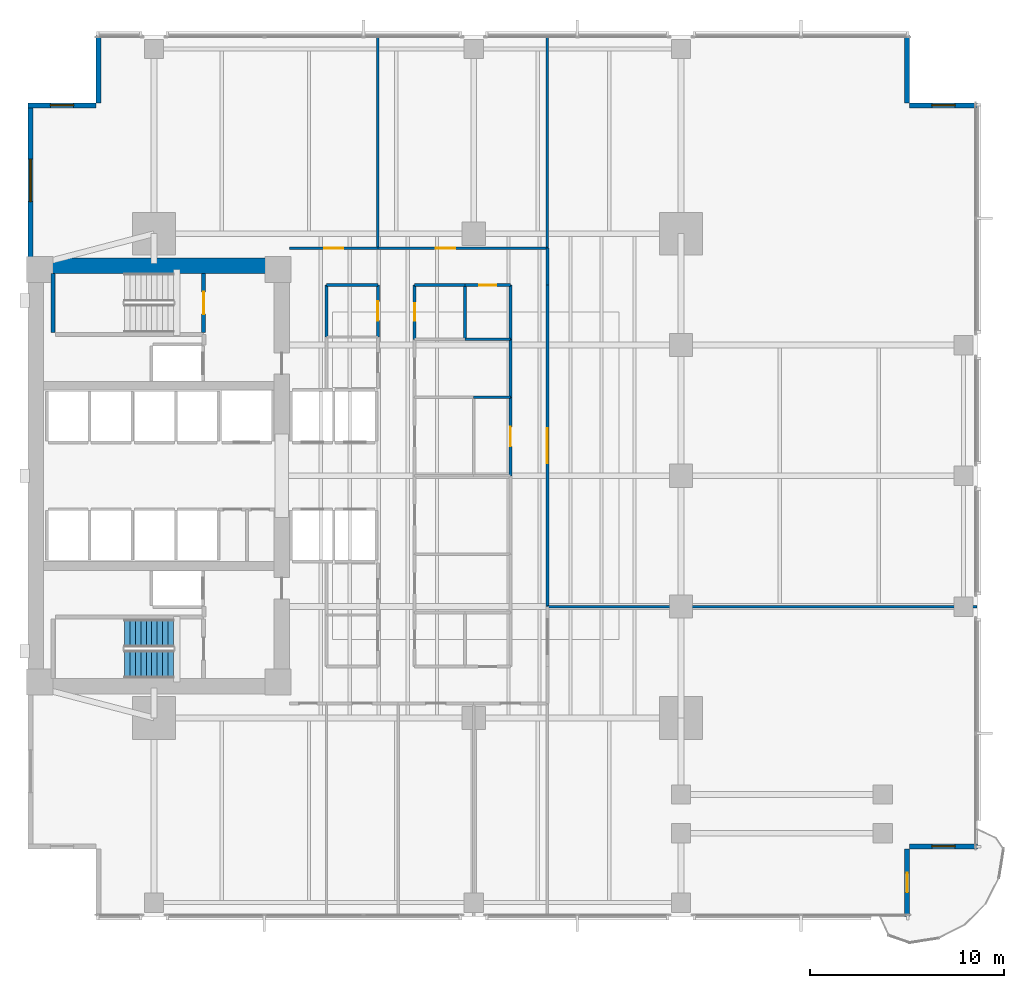
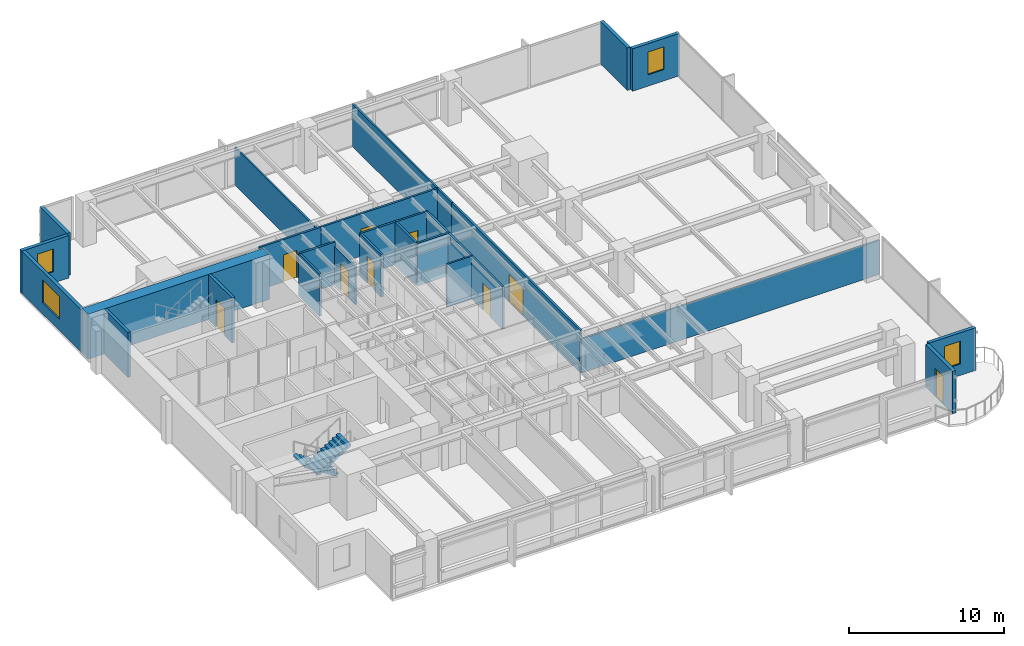
# One storey, part 10 of 15: 29 walls, 9 doors, 4 windows, 2 stair flights, 13 openings, 1 element without a shape of its own.
"""IFC4 building model written with IfcOpenShell, lengths in metres."""

from ifc_helpers import new_model, si_unit, direction, frame, frame_2d, origin, place, context, subcontext, project, spatial, polyline, rectangle, outline, extrude, material, layer, layer_set, type_object, element, fill, aggregate, save


model = new_model("IFC4")

# Units and contexts
model_context = context("Model", 3, precision=1e-05, world=origin(), true_north=direction((0.0, 1.0)))
body_context = subcontext(model_context, "Body", "Model", "MODEL_VIEW")
ifc_project = project(units=[si_unit("LENGTHUNIT", "METRE"), si_unit("AREAUNIT", "SQUARE_METRE"), si_unit("VOLUMEUNIT", "CUBIC_METRE"), si_unit("PLANEANGLEUNIT", "RADIAN"), si_unit("MASSUNIT", "GRAM", prefix="KILO")], contexts=[model_context])

# Site, building, storey
site_placement = place(None, origin())
site = spatial("IfcSite", under=ifc_project, at=site_placement, CompositionType="ELEMENT")
building_placement = place(site_placement, origin())
building = spatial("IfcBuilding", under=site, at=building_placement, Name="Kinhvarn Gate Tower", CompositionType="ELEMENT")
storey_placement = place(building_placement, frame((0.0, 0.0, 89.5)))
storey = spatial("IfcBuildingStorey", under=building, at=storey_placement, Name="L23", CompositionType="ELEMENT", Elevation=89.5)

# Wall
ifc_material_1 = material(Name="Concrete C70/85", Category="concrete")
ifc_layer_1 = layer(ifc_material_1, 0.800048828125)
ifc_layer_set_1 = layer_set([ifc_layer_1], Name="Concrete C70/85")
wall_type_1 = type_object("IfcWallType", Name="WL-CORE-800", PredefinedType="SHEAR", material=ifc_layer_set_1)
wall_1_placement = place(storey_placement, frame((4.5, 36.10009765625, 0.0), z_axis=(0.0, 0.0, 1.0), x_axis=(1.0, 0.0, 0.0)))
element("IfcWall", 1, at=wall_1_placement, inside=storey, type_object=wall_type_1, Name="Core North Shear Wall L23 800 mm", PredefinedType="SHEAR", context=body_context, shape_type="SweptSolid", body=[
    extrude(rectangle(XDim=13.5, YDim=0.800048828125, at=frame_2d((6.75, 0.0))), origin(), (0.0, 0.0, 1.0), 3.550048828125),
])

# Wall, opening, window
ifc_material_2 = material(Name="Fired architectural terracotta", Category="masonry")
ifc_layer_2 = layer(ifc_material_2, 0.25)
ifc_layer_set_2 = layer_set([ifc_layer_2], Name="Fired architectural terracotta")
wall_type_2 = type_object("IfcWallType", Name="WL-EXT-250", PredefinedType="SOLIDWALL", material=ifc_layer_set_2)
wall_2_placement = place(storey_placement, frame((4.625, 44.5, 0.0), z_axis=(0.0, 0.0, 1.0), x_axis=(0.0, -1.0, 0.0)))
wall_2 = element("IfcWall", 2, at=wall_2_placement, inside=storey, type_object=wall_type_2, Name="Exterior Solidwall Wall EW-250 (L23 West-North)", PredefinedType="SOLIDWALL", context=body_context, shape_type="SweptSolid", body=[
    extrude(rectangle(XDim=8.0, YDim=0.25, at=frame_2d((4.0, 0.0))), origin(), (0.0, 0.0, 1.0), 3.35009765625),
])
opening_1_placement = place(wall_2_placement, frame((2.89990234375, 0.0, 0.89990234375)))
opening_1 = element("IfcOpeningElement", 3, at=opening_1_placement, cuts=wall_2, Name="Opening WN-01", PredefinedType="OPENING", context=body_context, shape_type="SweptSolid", body=[
    extrude(rectangle(XDim=2.199951171875, YDim=1.800048828125, at=frame_2d((1.10009765625, 0.89990234375))), frame((0.0, 0.135009765625, 0.0), z_axis=(0.0, -1.0, 0.0), x_axis=(1.0, 0.0, 0.0)), (0.0, 0.0, 1.0), 0.27001953125),
])
ifc_material_3 = material(Name="Clear low-e double glazing", Category="glass")
window_type_1 = type_object("IfcWindowType", Name="WIN-RIB-2200", PartitioningType="SINGLE_PANEL", PredefinedType="WINDOW", material=ifc_material_3)
window_1_placement = place(opening_1_placement, origin())
window_1 = element("IfcWindow", 4, at=window_1_placement, inside=storey, type_object=window_type_1, Name="West Flank Double-Glazed Ribbon Window 2200x1800 mm (L23)", OverallHeight=1.800048828125, OverallWidth=2.199951171875, PartitioningType="SINGLE_PANEL", PredefinedType="WINDOW", context=body_context, shape_type="SweptSolid", body=[
    extrude(rectangle(XDim=2.199951171875, YDim=1.800048828125, at=frame_2d((1.10009765625, 0.89990234375))), frame((0.0, 0.030029296875, 0.0), z_axis=(0.0, -1.0, 0.0), x_axis=(1.0, 0.0, 0.0)), (0.0, 0.0, 1.0), 0.06005859375),
])
fill(opening_1, window_1)

# Wall, opening, door
wall_3_placement = place(storey_placement, frame((49.875, 2.5, 0.0), z_axis=(0.0, 0.0, 1.0), x_axis=(0.0, 1.0, 0.0)))
wall_3 = element("IfcWall", 5, at=wall_3_placement, inside=storey, type_object=wall_type_2, Name="Exterior Solidwall Wall EW-250 (L23 SE-Notch-Door)", PredefinedType="SOLIDWALL", context=body_context, shape_type="SweptSolid", body=[
    extrude(rectangle(XDim=3.5, YDim=0.25, at=frame_2d((1.75, 0.0))), origin(), (0.0, 0.0, 1.0), 3.35009765625),
])
opening_2_placement = place(wall_3_placement, frame((1.25, 0.0, 0.0)))
opening_2 = element("IfcOpeningElement", 6, at=opening_2_placement, cuts=wall_3, Name="Opening BD-01", PredefinedType="OPENING", context=body_context, shape_type="SweptSolid", body=[
    extrude(rectangle(XDim=1.0, YDim=2.199951171875, at=frame_2d((0.5, 1.10009765625))), frame((0.0, 0.135009765625, 0.0), z_axis=(0.0, -1.0, 0.0), x_axis=(1.0, 0.0, 0.0)), (0.0, 0.0, 1.0), 0.27001953125),
])
door_type_1 = type_object("IfcDoorType", Name="DR-BAL-1000", OperationType="NOTDEFINED", PredefinedType="DOOR", material=ifc_material_3)
door_1_placement = place(opening_2_placement, frame((1.0, 0.0, 0.0), z_axis=(0.0, 0.0, 1.0), x_axis=(-1.0, 0.0, 0.0)))
door_1 = element("IfcDoor", 7, at=door_1_placement, inside=storey, type_object=door_type_1, Name="S-Carve Balcony Door BD-01 (L23)", OperationType="SINGLE_SWING_LEFT", OverallHeight=2.199951171875, OverallWidth=1.0, PredefinedType="DOOR", context=body_context, shape_type="SweptSolid", body=[
    extrude(rectangle(XDim=1.0, YDim=2.199951171875, at=frame_2d((0.5, 1.10009765625))), frame((0.0, 0.02490234375, 0.0), z_axis=(0.0, -1.0, 0.0), x_axis=(1.0, 0.0, 0.0)), (0.0, 0.0, 1.0), 0.050048828125),
])
fill(opening_2, door_1)

# Wall, opening, window
wall_4_placement = place(storey_placement, frame((50.0, 6.125, 0.0), z_axis=(0.0, 0.0, 1.0), x_axis=(1.0, 0.0, 0.0)))
wall_4 = element("IfcWall", 8, at=wall_4_placement, inside=storey, type_object=wall_type_2, Name="Exterior Solidwall Wall EW-250 (L23 SE-Notch-Win)", PredefinedType="SOLIDWALL", context=body_context, shape_type="SweptSolid", body=[
    extrude(rectangle(XDim=3.5, YDim=0.25, at=frame_2d((1.75, 0.0))), origin(), (0.0, 0.0, 1.0), 3.35009765625),
])
opening_3_placement = place(wall_4_placement, frame((1.14990234375, 0.0, 0.89990234375)))
opening_3 = element("IfcOpeningElement", 9, at=opening_3_placement, cuts=wall_4, Name="Opening WN-02", PredefinedType="OPENING", context=body_context, shape_type="SweptSolid", body=[
    extrude(rectangle(XDim=1.199951171875, YDim=1.800048828125, at=frame_2d((0.60009765625, 0.89990234375))), frame((0.0, 0.135009765625, 0.0), z_axis=(0.0, -1.0, 0.0), x_axis=(1.0, 0.0, 0.0)), (0.0, 0.0, 1.0), 0.27001953125),
])
window_type_2 = type_object("IfcWindowType", Name="WIN-NTC-1200", PartitioningType="SINGLE_PANEL", PredefinedType="WINDOW", material=ifc_material_3)
window_2_placement = place(opening_3_placement, origin())
window_2 = element("IfcWindow", 10, at=window_2_placement, inside=storey, type_object=window_type_2, Name="Recessed Corner Notch Punched Window 1200x1800 mm (L23)", OverallHeight=1.800048828125, OverallWidth=1.199951171875, PartitioningType="SINGLE_PANEL", PredefinedType="WINDOW", context=body_context, shape_type="SweptSolid", body=[
    extrude(rectangle(XDim=1.199951171875, YDim=1.800048828125, at=frame_2d((0.60009765625, 0.89990234375))), frame((0.0, 0.030029296875, 0.0), z_axis=(0.0, -1.0, 0.0), x_axis=(1.0, 0.0, 0.0)), (0.0, 0.0, 1.0), 0.06005859375),
])
fill(opening_3, window_2)

wall_5_placement = place(storey_placement, frame((53.5, 44.375, 0.0), z_axis=(0.0, 0.0, 1.0), x_axis=(-1.0, 0.0, 0.0)))
wall_5 = element("IfcWall", 11, at=wall_5_placement, inside=storey, type_object=wall_type_2, Name="Exterior Solidwall Wall EW-250 (L23 NE-Notch-1)", PredefinedType="SOLIDWALL", context=body_context, shape_type="SweptSolid", body=[
    extrude(rectangle(XDim=3.5, YDim=0.25, at=frame_2d((1.75, 0.0))), origin(), (0.0, 0.0, 1.0), 3.35009765625),
])
opening_4_placement = place(wall_5_placement, frame((1.14990234375, 0.0, 0.89990234375)))
opening_4 = element("IfcOpeningElement", 12, at=opening_4_placement, cuts=wall_5, Name="Opening WN-02", PredefinedType="OPENING", context=body_context, shape_type="SweptSolid", body=[
    extrude(rectangle(XDim=1.199951171875, YDim=1.800048828125, at=frame_2d((0.60009765625, 0.89990234375))), frame((0.0, 0.135009765625, 0.0), z_axis=(0.0, -1.0, 0.0), x_axis=(1.0, 0.0, 0.0)), (0.0, 0.0, 1.0), 0.27001953125),
])
window_3_placement = place(opening_4_placement, origin())
window_3 = element("IfcWindow", 13, at=window_3_placement, inside=storey, type_object=window_type_2, Name="Recessed Corner Notch Punched Window 1200x1800 mm (L23)", OverallHeight=1.800048828125, OverallWidth=1.199951171875, PartitioningType="SINGLE_PANEL", PredefinedType="WINDOW", context=body_context, shape_type="SweptSolid", body=[
    extrude(rectangle(XDim=1.199951171875, YDim=1.800048828125, at=frame_2d((0.60009765625, 0.89990234375))), frame((0.0, 0.030029296875, 0.0), z_axis=(0.0, -1.0, 0.0), x_axis=(1.0, 0.0, 0.0)), (0.0, 0.0, 1.0), 0.06005859375),
])
fill(opening_4, window_3)

# Walls
for number, where, z_axis, x_axis, name in (
    (14, (49.875, 44.5, 0.0), (0.0, 0.0, 1.0), (0.0, 1.0, 0.0), "Exterior Solidwall Wall EW-250 (L23 NE-Notch-2)"),
    (15, (8.125, 48.0, 0.0), (0.0, 0.0, 1.0), (0.0, -1.0, 0.0), "Exterior Solidwall Wall EW-250 (L23 NW-Notch-1)"),
):
    element("IfcWall", number, at=place(storey_placement, frame(where, z_axis=z_axis, x_axis=x_axis)), inside=storey, type_object=wall_type_2, Name=name, PredefinedType="SOLIDWALL", context=body_context, shape_type="SweptSolid", body=[
        extrude(rectangle(XDim=3.5, YDim=0.25, at=frame_2d((1.75, 0.0))), origin(), (0.0, 0.0, 1.0), 3.35009765625),
    ])

# Wall, opening, window
wall_6_placement = place(storey_placement, frame((8.0, 44.375, 0.0), z_axis=(0.0, 0.0, 1.0), x_axis=(-1.0, 0.0, 0.0)))
wall_6 = element("IfcWall", 16, at=wall_6_placement, inside=storey, type_object=wall_type_2, Name="Exterior Solidwall Wall EW-250 (L23 NW-Notch-2)", PredefinedType="SOLIDWALL", context=body_context, shape_type="SweptSolid", body=[
    extrude(rectangle(XDim=3.5, YDim=0.25, at=frame_2d((1.75, 0.0))), origin(), (0.0, 0.0, 1.0), 3.35009765625),
])
opening_5_placement = place(wall_6_placement, frame((1.14990234375, 0.0, 0.89990234375)))
opening_5 = element("IfcOpeningElement", 17, at=opening_5_placement, cuts=wall_6, Name="Opening WN-02", PredefinedType="OPENING", context=body_context, shape_type="SweptSolid", body=[
    extrude(rectangle(XDim=1.199951171875, YDim=1.800048828125, at=frame_2d((0.60009765625, 0.89990234375))), frame((0.0, 0.135009765625, 0.0), z_axis=(0.0, -1.0, 0.0), x_axis=(1.0, 0.0, 0.0)), (0.0, 0.0, 1.0), 0.27001953125),
])
window_4_placement = place(opening_5_placement, origin())
window_4 = element("IfcWindow", 18, at=window_4_placement, inside=storey, type_object=window_type_2, Name="Recessed Corner Notch Punched Window 1200x1800 mm (L23)", OverallHeight=1.800048828125, OverallWidth=1.199951171875, PartitioningType="SINGLE_PANEL", PredefinedType="WINDOW", context=body_context, shape_type="SweptSolid", body=[
    extrude(rectangle(XDim=1.199951171875, YDim=1.800048828125, at=frame_2d((0.60009765625, 0.89990234375))), frame((0.0, 0.030029296875, 0.0), z_axis=(0.0, -1.0, 0.0), x_axis=(1.0, 0.0, 0.0)), (0.0, 0.0, 1.0), 0.06005859375),
])
fill(opening_5, window_4)

# Walls
ifc_material_4 = material(Name="Gypsum acoustic partition board")
ifc_layer_3 = layer(ifc_material_4, 0.14990234375)
ifc_layer_set_3 = layer_set([ifc_layer_3], Name="Gypsum acoustic partition board")
wall_type_3 = type_object("IfcWallType", Name="WL-PLM-150", PredefinedType="PLUMBINGWALL", material=ifc_layer_set_3)
wall_7_placement = place(storey_placement, frame((27.050048828125, 32.300048828125, 0.0), z_axis=(0.0, 0.0, 1.0), x_axis=(0.0, 1.0, 0.0)))
element("IfcWall", 19, at=wall_7_placement, inside=storey, type_object=wall_type_3, Name="Interior Partition PLW-150 (L23)", PredefinedType="PLUMBINGWALL", context=body_context, shape_type="SweptSolid", body=[
    extrude(rectangle(XDim=2.800048828125, YDim=0.14990234375, at=frame_2d((1.39990234375, 0.0))), origin(), (0.0, 0.0, 1.0), 3.35009765625),
])
wall_8_placement = place(storey_placement, frame((27.050048828125, 32.300048828125, 0.0), z_axis=(0.0, 0.0, 1.0), x_axis=(1.0, 0.0, 0.0)))
element("IfcWall", 20, at=wall_8_placement, inside=storey, type_object=wall_type_3, Name="Interior Partition PLW-150 (L23)", PredefinedType="PLUMBINGWALL", context=body_context, shape_type="SweptSolid", body=[
    extrude(rectangle(XDim=2.349853515625, YDim=0.14990234375, at=frame_2d((1.1748046875, 0.0))), origin(), (0.0, 0.0, 1.0), 3.35009765625),
])

# Wall, opening, door
ifc_layer_4 = layer(ifc_material_4, 0.14990234375)
ifc_layer_set_4 = layer_set([ifc_layer_4], Name="Gypsum acoustic partition board")
wall_type_4 = type_object("IfcWallType", Name="WL-PLM-150F", PredefinedType="PLUMBINGWALL", material=ifc_layer_set_4)
wall_9_placement = place(storey_placement, frame((24.449951171875, 32.300048828125, 0.0), z_axis=(0.0, 0.0, 1.0), x_axis=(0.0, 1.0, 0.0)))
wall_9 = element("IfcWall", 21, at=wall_9_placement, inside=storey, type_object=wall_type_4, Name="Interior Partition PLW-150F (L23)", PredefinedType="PLUMBINGWALL", context=body_context, shape_type="SweptSolid", body=[
    extrude(rectangle(XDim=2.800048828125, YDim=0.14990234375, at=frame_2d((1.39990234375, 0.0))), origin(), (0.0, 0.0, 1.0), 3.35009765625),
])
opening_6_placement = place(wall_9_placement, frame((0.949951171875, 0.0, 0.0)))
opening_6 = element("IfcOpeningElement", 22, at=opening_6_placement, cuts=wall_9, Name="Opening FD-04", PredefinedType="OPENING", context=body_context, shape_type="SweptSolid", body=[
    extrude(rectangle(XDim=0.89990234375, YDim=2.10009765625, at=frame_2d((0.449951171875, 1.050048828125))), frame((0.0, 0.0849609375, 0.0), z_axis=(0.0, -1.0, 0.0), x_axis=(1.0, 0.0, 0.0)), (0.0, 0.0, 1.0), 0.169921875),
])
ifc_material_5 = material(Name="Anodised aluminium AW-6063", Category="aluminium")
door_type_2 = type_object("IfcDoorType", Name="DR-FD-900", OperationType="NOTDEFINED", PredefinedType="DOOR", material=ifc_material_5)
door_2_placement = place(opening_6_placement, origin())
door_2 = element("IfcDoor", 23, at=door_2_placement, inside=storey, type_object=door_type_2, Name="Rated Riser & Service Closet Fire Door 900x2100 mm (L23)", OperationType="SINGLE_SWING_LEFT", OverallHeight=2.10009765625, OverallWidth=0.89990234375, PredefinedType="DOOR", context=body_context, shape_type="SweptSolid", body=[
    extrude(rectangle(XDim=0.89990234375, YDim=2.10009765625, at=frame_2d((0.449951171875, 1.050048828125))), frame((0.0, 0.02490234375, 0.0), z_axis=(0.0, -1.0, 0.0), x_axis=(1.0, 0.0, 0.0)), (0.0, 0.0, 1.0), 0.050048828125),
])
fill(opening_6, door_2)

# Wall
wall_10_placement = place(storey_placement, frame((24.449951171875, 35.10009765625, 0.0), z_axis=(0.0, 0.0, 1.0), x_axis=(1.0, 0.0, 0.0)))
element("IfcWall", 24, at=wall_10_placement, inside=storey, type_object=wall_type_4, Name="Interior Partition PLW-150F (L23)", PredefinedType="PLUMBINGWALL", context=body_context, shape_type="SweptSolid", body=[
    extrude(rectangle(XDim=2.60009765625, YDim=0.14990234375, at=frame_2d((1.300048828125, 0.0))), origin(), (0.0, 0.0, 1.0), 3.35009765625),
])

# Wall, opening, door
wall_11_placement = place(storey_placement, frame((27.050048828125, 35.10009765625, 0.0), z_axis=(0.0, 0.0, 1.0), x_axis=(1.0, 0.0, 0.0)))
wall_11 = element("IfcWall", 25, at=wall_11_placement, inside=storey, type_object=wall_type_4, Name="Interior Partition PLW-150F (L23)", PredefinedType="PLUMBINGWALL", context=body_context, shape_type="SweptSolid", body=[
    extrude(rectangle(XDim=2.349853515625, YDim=0.14990234375, at=frame_2d((1.1748046875, 0.0))), origin(), (0.0, 0.0, 1.0), 3.35009765625),
])
opening_7_placement = place(wall_11_placement, frame((0.72509765625, 0.0, 0.0)))
opening_7 = element("IfcOpeningElement", 26, at=opening_7_placement, cuts=wall_11, Name="Opening FD-04", PredefinedType="OPENING", context=body_context, shape_type="SweptSolid", body=[
    extrude(rectangle(XDim=0.89990234375, YDim=2.10009765625, at=frame_2d((0.449951171875, 1.050048828125))), frame((0.0, 0.0849609375, 0.0), z_axis=(0.0, -1.0, 0.0), x_axis=(1.0, 0.0, 0.0)), (0.0, 0.0, 1.0), 0.169921875),
])
door_3_placement = place(opening_7_placement, origin())
door_3 = element("IfcDoor", 27, at=door_3_placement, inside=storey, type_object=door_type_2, Name="Rated Riser & Service Closet Fire Door 900x2100 mm (L23)", OperationType="SINGLE_SWING_LEFT", OverallHeight=2.10009765625, OverallWidth=0.89990234375, PredefinedType="DOOR", context=body_context, shape_type="SweptSolid", body=[
    extrude(rectangle(XDim=0.89990234375, YDim=2.10009765625, at=frame_2d((0.449951171875, 1.050048828125))), frame((0.0, 0.02490234375, 0.0), z_axis=(0.0, -1.0, 0.0), x_axis=(1.0, 0.0, 0.0)), (0.0, 0.0, 1.0), 0.050048828125),
])
fill(opening_7, door_3)

# Walls
wall_12_placement = place(storey_placement, frame((29.39990234375, 32.300048828125, 0.0), z_axis=(0.0, 0.0, 1.0), x_axis=(0.0, 1.0, 0.0)))
element("IfcWall", 28, at=wall_12_placement, inside=storey, type_object=wall_type_4, Name="Interior Partition PLW-150F (L23)", PredefinedType="PLUMBINGWALL", context=body_context, shape_type="SweptSolid", body=[
    extrude(rectangle(XDim=2.800048828125, YDim=0.14990234375, at=frame_2d((1.39990234375, 0.0))), origin(), (0.0, 0.0, 1.0), 3.35009765625),
])
ifc_layer_5 = layer(ifc_material_4, 0.1201171875)
ifc_layer_set_5 = layer_set([ifc_layer_5], Name="Gypsum acoustic partition board")
wall_type_5 = type_object("IfcWallType", Name="WL-PRT-120", PredefinedType="PARTITIONING", material=ifc_layer_set_5)
wall_13_placement = place(storey_placement, frame((27.5, 29.300048828125, 0.0), z_axis=(0.0, 0.0, 1.0), x_axis=(1.0, 0.0, 0.0)))
element("IfcWall", 29, at=wall_13_placement, inside=storey, type_object=wall_type_5, Name="Interior Partition PW-120 (L23)", PredefinedType="PARTITIONING", context=body_context, shape_type="SweptSolid", body=[
    extrude(rectangle(XDim=1.89990234375, YDim=0.1201171875, at=frame_2d((0.949951171875, 0.0))), origin(), (0.0, 0.0, 1.0), 3.35009765625),
])
wall_14_placement = place(storey_placement, frame((22.550048828125, 37.0, 0.0), z_axis=(0.0, 0.0, 1.0), x_axis=(0.0, 1.0, 0.0)))
element("IfcWall", 30, at=wall_14_placement, inside=storey, type_object=wall_type_5, Name="Interior Partition PW-120 (L23)", PredefinedType="PARTITIONING", context=body_context, shape_type="SweptSolid", body=[
    extrude(rectangle(XDim=10.989990234375, YDim=0.1201171875, at=frame_2d((5.4951171875, 0.0))), origin(), (0.0, 0.0, 1.0), 2.989990234375),
])
wall_15_placement = place(storey_placement, frame((31.300048828125, 37.0, 0.0), z_axis=(0.0, 0.0, 1.0), x_axis=(0.0, 1.0, 0.0)))
element("IfcWall", 31, at=wall_15_placement, inside=storey, type_object=wall_type_5, Name="Interior Partition PW-120 (L23)", PredefinedType="PARTITIONING", context=body_context, shape_type="SweptSolid", body=[
    extrude(rectangle(XDim=10.989990234375, YDim=0.1201171875, at=frame_2d((5.4951171875, 0.0))), origin(), (0.0, 0.0, 1.0), 3.35009765625),
])
wall_16_placement = place(storey_placement, frame((31.300048828125, 18.5, 0.0), z_axis=(0.0, 0.0, 1.0), x_axis=(1.0, 0.0, 0.0)))
element("IfcWall", 32, at=wall_16_placement, inside=storey, type_object=wall_type_5, Name="Interior Partition PW-120 (L23)", PredefinedType="PARTITIONING", context=body_context, shape_type="SweptSolid", body=[
    extrude(rectangle(XDim=22.18994140625, YDim=0.1201171875, at=frame_2d((11.094970703125, 0.0))), origin(), (0.0, 0.0, 1.0), 2.699951171875),
])

# Wall, opening, door
ifc_layer_6 = layer(ifc_material_4, 0.14990234375)
ifc_layer_set_6 = layer_set([ifc_layer_6], Name="Gypsum acoustic partition board")
wall_type_6 = type_object("IfcWallType", Name="WL-PRT-150F", PredefinedType="PARTITIONING", material=ifc_layer_set_6)
wall_17_placement = place(storey_placement, frame((22.550048828125, 32.419921875, 0.0), z_axis=(0.0, 0.0, 1.0), x_axis=(0.0, 1.0, 0.0)))
wall_17 = element("IfcWall", 33, at=wall_17_placement, inside=storey, type_object=wall_type_6, Name="Interior Partition PW-150F (L23)", PredefinedType="PARTITIONING", context=body_context, shape_type="SweptSolid", body=[
    extrude(rectangle(XDim=2.68017578125, YDim=0.14990234375, at=frame_2d((1.340087890625, 0.0))), origin(), (0.0, 0.0, 1.0), 2.989990234375),
])
opening_8_placement = place(wall_17_placement, frame((0.840087890625, 0.0, 0.0)))
opening_8 = element("IfcOpeningElement", 34, at=opening_8_placement, cuts=wall_17, Name="Opening ID-02", PredefinedType="OPENING", context=body_context, shape_type="SweptSolid", body=[
    extrude(rectangle(XDim=1.0, YDim=2.14990234375, at=frame_2d((0.5, 1.074951171875))), frame((0.0, 0.0849609375, 0.0), z_axis=(0.0, -1.0, 0.0), x_axis=(1.0, 0.0, 0.0)), (0.0, 0.0, 1.0), 0.169921875),
])
door_type_3 = type_object("IfcDoorType", Name="DR-INT-1000", OperationType="NOTDEFINED", PredefinedType="DOOR", material=ifc_material_5)
door_4_placement = place(opening_8_placement, origin())
door_4 = element("IfcDoor", 35, at=door_4_placement, inside=storey, type_object=door_type_3, Name="Standard Office & Meeting Room Door 1000x2150 mm (L23)", OperationType="SINGLE_SWING_LEFT", OverallHeight=2.14990234375, OverallWidth=1.0, PredefinedType="DOOR", context=body_context, shape_type="SweptSolid", body=[
    extrude(rectangle(XDim=1.0, YDim=2.14990234375, at=frame_2d((0.5, 1.074951171875))), frame((0.0, 0.02490234375, 0.0), z_axis=(0.0, -1.0, 0.0), x_axis=(1.0, 0.0, 0.0)), (0.0, 0.0, 1.0), 0.050048828125),
])
fill(opening_8, door_4)

# Walls
wall_18_placement = place(storey_placement, frame((19.89990234375, 32.419921875, 0.0), z_axis=(0.0, 0.0, 1.0), x_axis=(0.0, 1.0, 0.0)))
element("IfcWall", 36, at=wall_18_placement, inside=storey, type_object=wall_type_6, Name="Interior Partition PW-150F (L23)", PredefinedType="PARTITIONING", context=body_context, shape_type="SweptSolid", body=[
    extrude(rectangle(XDim=2.68017578125, YDim=0.14990234375, at=frame_2d((1.340087890625, 0.0))), origin(), (0.0, 0.0, 1.0), 3.35009765625),
])
wall_19_placement = place(storey_placement, frame((19.89990234375, 35.10009765625, 0.0), z_axis=(0.0, 0.0, 1.0), x_axis=(1.0, 0.0, 0.0)))
element("IfcWall", 37, at=wall_19_placement, inside=storey, type_object=wall_type_6, Name="Interior Partition PW-150F (L23)", PredefinedType="PARTITIONING", context=body_context, shape_type="SweptSolid", body=[
    extrude(rectangle(XDim=2.650146484375, YDim=0.14990234375, at=frame_2d((1.3251953125, 0.0))), origin(), (0.0, 0.0, 1.0), 3.35009765625),
])

# Wall, opening, door
wall_20_placement = place(storey_placement, frame((18.0, 37.0, 0.0), z_axis=(0.0, 0.0, 1.0), x_axis=(1.0, 0.0, 0.0)))
wall_20 = element("IfcWall", 38, at=wall_20_placement, inside=storey, type_object=wall_type_6, Name="Interior Partition PW-150F (L23)", PredefinedType="PARTITIONING", context=body_context, shape_type="SweptSolid", body=[
    extrude(rectangle(XDim=4.550048828125, YDim=0.14990234375, at=frame_2d((2.27490234375, 0.0))), origin(), (0.0, 0.0, 1.0), 3.35009765625),
])
opening_9_placement = place(wall_20_placement, frame((1.77490234375, 0.0, 0.0)))
opening_9 = element("IfcOpeningElement", 39, at=opening_9_placement, cuts=wall_20, Name="Opening ID-02", PredefinedType="OPENING", context=body_context, shape_type="SweptSolid", body=[
    extrude(rectangle(XDim=1.0, YDim=2.14990234375, at=frame_2d((0.5, 1.074951171875))), frame((0.0, 0.0849609375, 0.0), z_axis=(0.0, -1.0, 0.0), x_axis=(1.0, 0.0, 0.0)), (0.0, 0.0, 1.0), 0.169921875),
])
door_5_placement = place(opening_9_placement, origin())
door_5 = element("IfcDoor", 40, at=door_5_placement, inside=storey, type_object=door_type_3, Name="Standard Office & Meeting Room Door 1000x2150 mm (L23)", OperationType="SINGLE_SWING_RIGHT", OverallHeight=2.14990234375, OverallWidth=1.0, PredefinedType="DOOR", context=body_context, shape_type="SweptSolid", body=[
    extrude(rectangle(XDim=1.0, YDim=2.14990234375, at=frame_2d((0.5, 1.074951171875))), frame((0.0, 0.02490234375, 0.0), z_axis=(0.0, -1.0, 0.0), x_axis=(1.0, 0.0, 0.0)), (0.0, 0.0, 1.0), 0.050048828125),
])
fill(opening_9, door_5)

wall_21_placement = place(storey_placement, frame((22.550048828125, 37.0, 0.0), z_axis=(0.0, 0.0, 1.0), x_axis=(1.0, 0.0, 0.0)))
wall_21 = element("IfcWall", 41, at=wall_21_placement, inside=storey, type_object=wall_type_6, Name="Interior Partition PW-150F (L23)", PredefinedType="PARTITIONING", context=body_context, shape_type="SweptSolid", body=[
    extrude(rectangle(XDim=8.75, YDim=0.14990234375, at=frame_2d((4.375, 0.0))), origin(), (0.0, 0.0, 1.0), 3.35009765625),
])
opening_10_placement = place(wall_21_placement, frame((2.988037109375, 0.0, 0.0)))
opening_10 = element("IfcOpeningElement", 42, at=opening_10_placement, cuts=wall_21, Name="Opening ID-02", PredefinedType="OPENING", context=body_context, shape_type="SweptSolid", body=[
    extrude(rectangle(XDim=1.0, YDim=2.14990234375, at=frame_2d((0.5, 1.074951171875))), frame((0.0, 0.0849609375, 0.0), z_axis=(0.0, -1.0, 0.0), x_axis=(1.0, 0.0, 0.0)), (0.0, 0.0, 1.0), 0.169921875),
])
door_6_placement = place(opening_10_placement, origin())
door_6 = element("IfcDoor", 43, at=door_6_placement, inside=storey, type_object=door_type_3, Name="Standard Office & Meeting Room Door 1000x2150 mm (L23)", OperationType="SINGLE_SWING_LEFT", OverallHeight=2.14990234375, OverallWidth=1.0, PredefinedType="DOOR", context=body_context, shape_type="SweptSolid", body=[
    extrude(rectangle(XDim=1.0, YDim=2.14990234375, at=frame_2d((0.5, 1.074951171875))), frame((0.0, 0.02490234375, 0.0), z_axis=(0.0, -1.0, 0.0), x_axis=(1.0, 0.0, 0.0)), (0.0, 0.0, 1.0), 0.050048828125),
])
fill(opening_10, door_6)

# Walls
wall_22_placement = place(storey_placement, frame((31.300048828125, 35.10009765625, 0.0), z_axis=(0.0, 0.0, 1.0), x_axis=(0.0, 1.0, 0.0)))
element("IfcWall", 44, at=wall_22_placement, inside=storey, type_object=wall_type_6, Name="Interior Partition PW-150F (L23)", PredefinedType="PARTITIONING", context=body_context, shape_type="SweptSolid", body=[
    extrude(rectangle(XDim=1.89990234375, YDim=0.14990234375, at=frame_2d((0.949951171875, 0.0))), origin(), (0.0, 0.0, 1.0), 3.35009765625),
])
wall_23_placement = place(storey_placement, frame((29.39990234375, 29.300048828125, 0.0), z_axis=(0.0, 0.0, 1.0), x_axis=(0.0, 1.0, 0.0)))
element("IfcWall", 45, at=wall_23_placement, inside=storey, type_object=wall_type_6, Name="Interior Partition PW-150F (L23)", PredefinedType="PARTITIONING", context=body_context, shape_type="SweptSolid", body=[
    extrude(rectangle(XDim=3.0, YDim=0.14990234375, at=frame_2d((1.5, 0.0))), origin(), (0.0, 0.0, 1.0), 3.35009765625),
])

# Wall, opening, door
wall_24_placement = place(storey_placement, frame((29.39990234375, 25.25, 0.0), z_axis=(0.0, 0.0, 1.0), x_axis=(0.0, 1.0, 0.0)))
wall_24 = element("IfcWall", 46, at=wall_24_placement, inside=storey, type_object=wall_type_6, Name="Interior Partition PW-150F (L23)", PredefinedType="PARTITIONING", context=body_context, shape_type="SweptSolid", body=[
    extrude(rectangle(XDim=4.050048828125, YDim=0.14990234375, at=frame_2d((2.02490234375, 0.0))), origin(), (0.0, 0.0, 1.0), 3.35009765625),
])
opening_11_placement = place(wall_24_placement, frame((1.52490234375, 0.0, 0.0)))
opening_11 = element("IfcOpeningElement", 47, at=opening_11_placement, cuts=wall_24, Name="Opening ID-02", PredefinedType="OPENING", context=body_context, shape_type="SweptSolid", body=[
    extrude(rectangle(XDim=1.0, YDim=2.14990234375, at=frame_2d((0.5, 1.074951171875))), frame((0.0, 0.0849609375, 0.0), z_axis=(0.0, -1.0, 0.0), x_axis=(1.0, 0.0, 0.0)), (0.0, 0.0, 1.0), 0.169921875),
])
door_7_placement = place(opening_11_placement, origin())
door_7 = element("IfcDoor", 48, at=door_7_placement, inside=storey, type_object=door_type_3, Name="Standard Office & Meeting Room Door 1000x2150 mm (L23)", OperationType="SINGLE_SWING_RIGHT", OverallHeight=2.14990234375, OverallWidth=1.0, PredefinedType="DOOR", context=body_context, shape_type="SweptSolid", body=[
    extrude(rectangle(XDim=1.0, YDim=2.14990234375, at=frame_2d((0.5, 1.074951171875))), frame((0.0, 0.02490234375, 0.0), z_axis=(0.0, -1.0, 0.0), x_axis=(1.0, 0.0, 0.0)), (0.0, 0.0, 1.0), 0.050048828125),
])
fill(opening_11, door_7)

wall_25_placement = place(storey_placement, frame((31.300048828125, 18.5, 0.0), z_axis=(0.0, 0.0, 1.0), x_axis=(0.0, 1.0, 0.0)))
wall_25 = element("IfcWall", 49, at=wall_25_placement, inside=storey, type_object=wall_type_6, Name="Interior Partition PW-150F (L23)", PredefinedType="PARTITIONING", context=body_context, shape_type="SweptSolid", body=[
    extrude(rectangle(XDim=16.60009765625, YDim=0.14990234375, at=frame_2d((8.300048828125, 0.0))), origin(), (0.0, 0.0, 1.0), 3.35009765625),
])
opening_12_placement = place(wall_25_placement, frame((7.39990234375, 0.0, 0.0)))
opening_12 = element("IfcOpeningElement", 50, at=opening_12_placement, cuts=wall_25, Name="Opening ID-04", PredefinedType="OPENING", context=body_context, shape_type="SweptSolid", body=[
    extrude(rectangle(XDim=1.800048828125, YDim=2.199951171875, at=frame_2d((0.89990234375, 1.10009765625))), frame((0.0, 0.0849609375, 0.0), z_axis=(0.0, -1.0, 0.0), x_axis=(1.0, 0.0, 0.0)), (0.0, 0.0, 1.0), 0.169921875),
])
door_type_4 = type_object("IfcDoorType", Name="DR-GLZ-1800", OperationType="NOTDEFINED", PredefinedType="DOOR", material=ifc_material_3)
door_8_placement = place(opening_12_placement, origin())
door_8 = element("IfcDoor", 51, at=door_8_placement, inside=storey, type_object=door_type_4, Name="Double Glazed Forum & Sky-Lobby Door 1800x2200 mm (L23)", OperationType="DOUBLE_DOOR_SINGLE_SWING", OverallHeight=2.199951171875, OverallWidth=1.800048828125, PredefinedType="DOOR", context=body_context, shape_type="SweptSolid", body=[
    extrude(rectangle(XDim=1.800048828125, YDim=2.199951171875, at=frame_2d((0.89990234375, 1.10009765625))), frame((0.0, 0.02490234375, 0.0), z_axis=(0.0, -1.0, 0.0), x_axis=(1.0, 0.0, 0.0)), (0.0, 0.0, 1.0), 0.050048828125),
])
fill(opening_12, door_8)

# Wall
ifc_material_6 = material(Name="Concrete C40/50", Category="concrete")
ifc_layer_7 = layer(ifc_material_6, 0.199951171875)
ifc_layer_set_7 = layer_set([ifc_layer_7], Name="Concrete C40/50")
wall_type_7 = type_object("IfcWallType", Name="WL-SHF-200", PredefinedType="SOLIDWALL", material=ifc_layer_set_7)
wall_26_placement = place(storey_placement, frame((5.7900390625, 32.64990234375, 0.0), z_axis=(0.0, 0.0, 1.0), x_axis=(0.0, 1.0, 0.0)))
element("IfcWall", 52, at=wall_26_placement, inside=storey, type_object=wall_type_7, Name="Stair ST2 West Shaft Wall (L23)", PredefinedType="SOLIDWALL", context=body_context, shape_type="SweptSolid", body=[
    extrude(rectangle(XDim=3.050048828125, YDim=0.199951171875, at=frame_2d((1.52490234375, 0.0))), origin(), (0.0, 0.0, 1.0), 3.550048828125),
])

# Wall, opening, door
wall_27_placement = place(storey_placement, frame((13.56005859375, 32.64990234375, 0.0), z_axis=(0.0, 0.0, 1.0), x_axis=(0.0, 1.0, 0.0)))
wall_27 = element("IfcWall", 53, at=wall_27_placement, inside=storey, type_object=wall_type_7, Name="Stair ST2 East Entry Wall (L23)", PredefinedType="SOLIDWALL", context=body_context, shape_type="SweptSolid", body=[
    extrude(rectangle(XDim=3.050048828125, YDim=0.199951171875, at=frame_2d((1.52490234375, 0.0))), origin(), (0.0, 0.0, 1.0), 3.550048828125),
])
opening_13_placement = place(wall_27_placement, frame((0.949951171875, 0.0, 0.0)))
opening_13 = element("IfcOpeningElement", 54, at=opening_13_placement, cuts=wall_27, Name="Opening FD-01", PredefinedType="OPENING", context=body_context, shape_type="SweptSolid", body=[
    extrude(rectangle(XDim=1.14990234375, YDim=2.14990234375, at=frame_2d((0.574951171875, 1.074951171875))), frame((0.0, 0.10986328125, 0.0), z_axis=(0.0, -1.0, 0.0), x_axis=(1.0, 0.0, 0.0)), (0.0, 0.0, 1.0), 0.219970703125),
])
door_type_5 = type_object("IfcDoorType", Name="DR-ST-1150", OperationType="NOTDEFINED", PredefinedType="DOOR", material=ifc_material_5)
door_9_placement = place(opening_13_placement, origin())
door_9 = element("IfcDoor", 55, at=door_9_placement, inside=storey, type_object=door_type_5, Name="Exit Stair ST2 Fire Door (L23)", OperationType="SINGLE_SWING_RIGHT", OverallHeight=2.14990234375, OverallWidth=1.14990234375, PredefinedType="DOOR", context=body_context, shape_type="SweptSolid", body=[
    extrude(rectangle(XDim=1.14990234375, YDim=2.14990234375, at=frame_2d((0.574951171875, 1.074951171875))), frame((0.0, 0.02490234375, 0.0), z_axis=(0.0, -1.0, 0.0), x_axis=(1.0, 0.0, 0.0)), (0.0, 0.0, 1.0), 0.050048828125),
])
fill(opening_13, door_9)

# Stair, stair flights
stair_type = type_object("IfcStairType", Name="STR-DLG-177", PredefinedType="HALF_TURN_STAIR", material=ifc_material_6)
stair_placement = place(storey_placement, origin())
stair = element("IfcStair", 56, at=stair_placement, inside=storey, type_object=stair_type, Name="L23 Core Smokeproof Exit Stair ST1", PredefinedType="HALF_TURN_STAIR")
stair_flight_type = type_object("IfcStairFlightType", Name="STF-DLG-177", PredefinedType="STRAIGHT", material=ifc_material_6)
stair_flight_1_placement = place(storey_placement, frame((12.0, 17.125, 0.0), z_axis=(0.0, 0.0, 1.0), x_axis=(-1.0, 0.0, 0.0)))
stair_flight_1 = element("IfcStairFlight", 57, at=stair_flight_1_placement, type_object=stair_flight_type, Name="ST1 flight 1", NumberOfRisers=10, NumberOfTreads=9, PredefinedType="STRAIGHT", RiserHeight=0.1775, TreadLength=0.28, context=body_context, shape_type="SweptSolid", body=[
    extrude(outline(polyline([(0.0, 0.0), (0.0, 0.177490234375), (0.280029296875, 0.177490234375), (0.280029296875, 0.35498046875), (0.56005859375, 0.35498046875), (0.56005859375, 0.532470703125), (0.840087890625, 0.532470703125), (0.840087890625, 0.7099609375), (1.1201171875, 0.7099609375), (1.1201171875, 0.887451171875), (1.39990234375, 0.887451171875), (1.39990234375, 1.06494140625), (1.679931640625, 1.06494140625), (1.679931640625, 1.242431640625), (1.9599609375, 1.242431640625), (1.9599609375, 1.419921875), (2.239990234375, 1.419921875), (2.239990234375, 1.597412109375), (2.52001953125, 1.597412109375), (2.52001953125, 1.77490234375), (2.52001953125, 1.419921875), (0.280029296875, 0.0), (0.0, 0.0)])), frame((0.0, 0.72509765625, 0.0), z_axis=(0.0, -1.0, 0.0), x_axis=(1.0, 0.0, 0.0)), (0.0, 0.0, 1.0), 1.449951171875),
])
stair_flight_2_placement = place(storey_placement, frame((9.47998046875, 15.52490234375, 1.77490234375), z_axis=(0.0, 0.0, 1.0), x_axis=(1.0, 0.0, 0.0)))
stair_flight_2 = element("IfcStairFlight", 58, at=stair_flight_2_placement, type_object=stair_flight_type, Name="ST1 flight 2", NumberOfRisers=10, NumberOfTreads=9, PredefinedType="STRAIGHT", RiserHeight=0.1775, TreadLength=0.28, context=body_context, shape_type="SweptSolid", body=[
    extrude(outline(polyline([(0.0, 0.0), (0.0, 0.177490234375), (0.280029296875, 0.177490234375), (0.280029296875, 0.35498046875), (0.56005859375, 0.35498046875), (0.56005859375, 0.532470703125), (0.840087890625, 0.532470703125), (0.840087890625, 0.7099609375), (1.1201171875, 0.7099609375), (1.1201171875, 0.887451171875), (1.39990234375, 0.887451171875), (1.39990234375, 1.06494140625), (1.679931640625, 1.06494140625), (1.679931640625, 1.242431640625), (1.9599609375, 1.242431640625), (1.9599609375, 1.419921875), (2.239990234375, 1.419921875), (2.239990234375, 1.597412109375), (2.52001953125, 1.597412109375), (2.52001953125, 1.77490234375), (2.52001953125, 1.419921875), (0.280029296875, 0.0), (0.0, 0.0)])), frame((0.0, 0.72509765625, 0.0), z_axis=(0.0, -1.0, 0.0), x_axis=(1.0, 0.0, 0.0)), (0.0, 0.0, 1.0), 1.449951171875),
])
aggregate(stair, [stair_flight_1, stair_flight_2])

save(model, "model.ifc")
